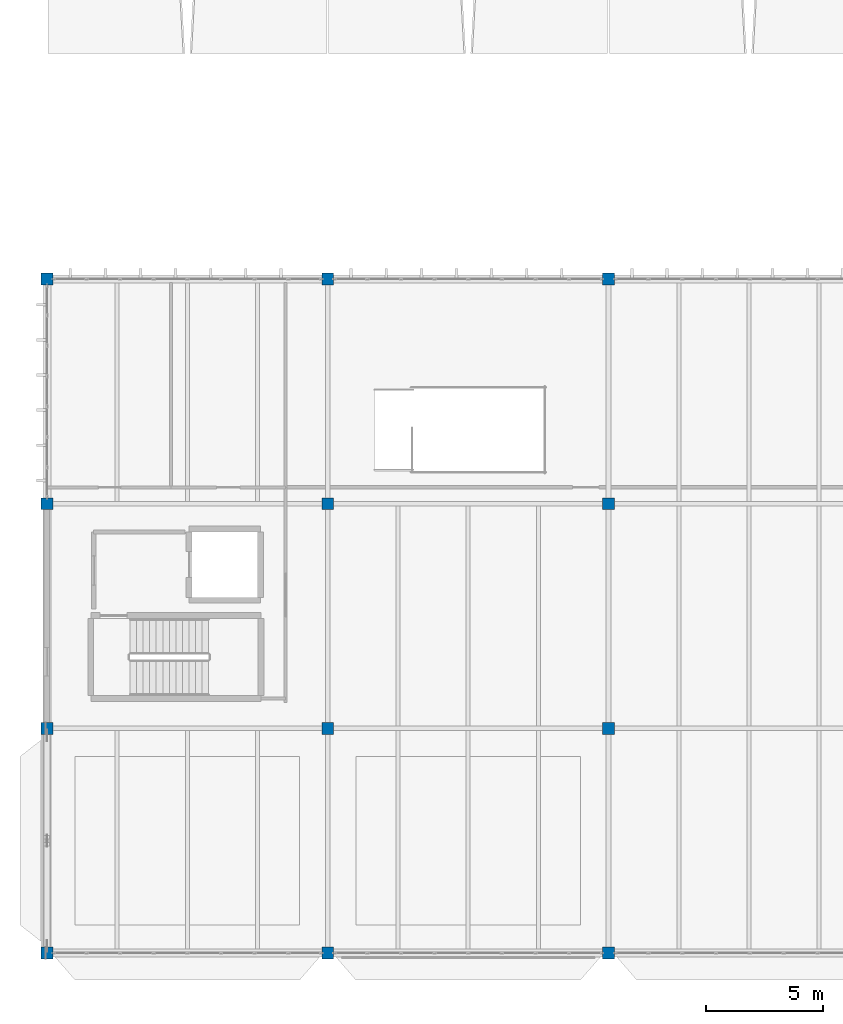
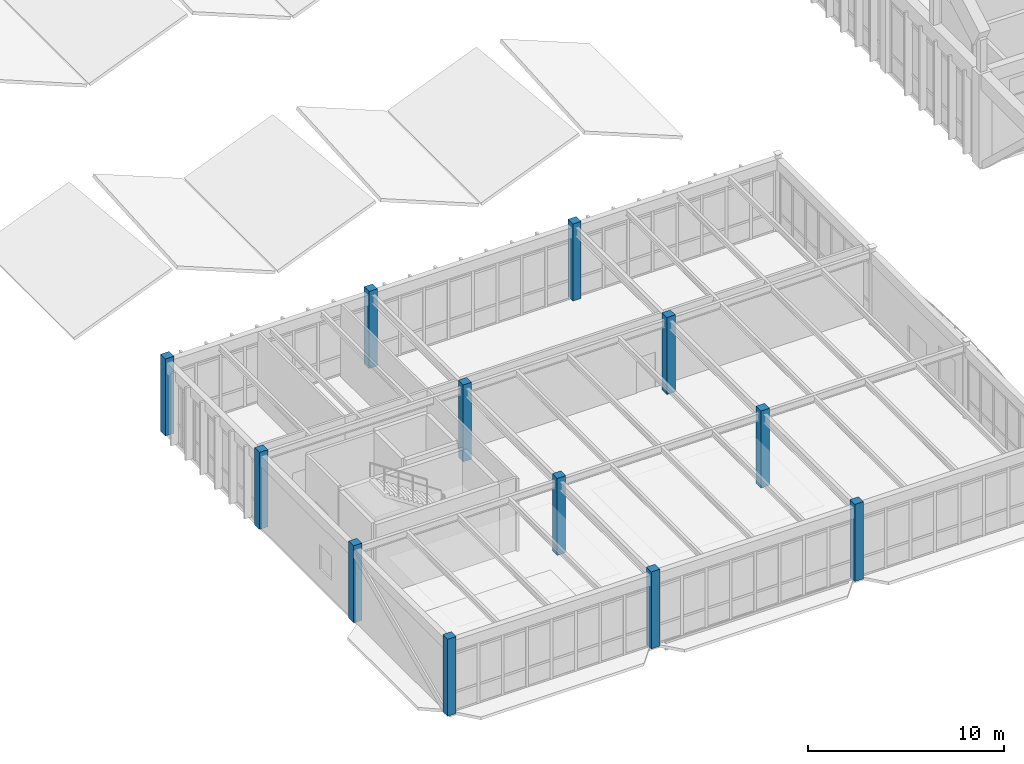
# One storey, part 1 of 236: 12 columns.
"""IFC4 building model written with IfcOpenShell, lengths in metres."""

from ifc_helpers import new_model, si_unit, direction, frame, origin, origin_2d, place, context, subcontext, project, spatial, rectangle, extrude, material, material_profile, profile_set, type_object, element, save


model = new_model("IFC4")

# Units and contexts
model_context = context("Model", 3, precision=1e-05, world=origin(), true_north=direction((0.0, 1.0)))
body_context = subcontext(model_context, "Body", "Model", "MODEL_VIEW")
ifc_project = project(units=[si_unit("LENGTHUNIT", "METRE"), si_unit("AREAUNIT", "SQUARE_METRE"), si_unit("VOLUMEUNIT", "CUBIC_METRE"), si_unit("PLANEANGLEUNIT", "RADIAN"), si_unit("MASSUNIT", "GRAM", prefix="KILO")], contexts=[model_context])

# Site, building, storey
site_placement = place(None, origin())
site = spatial("IfcSite", under=ifc_project, at=site_placement, CompositionType="ELEMENT")
building_placement = place(site_placement, origin())
building = spatial("IfcBuilding", under=site, at=building_placement, Name="Pandanus Reach Market Hall", CompositionType="ELEMENT")
storey_placement = place(building_placement, frame((0.0, 0.0, 5.39990234375)))
storey = spatial("IfcBuildingStorey", under=building, at=storey_placement, Name="L01", CompositionType="ELEMENT", Elevation=5.39990234375)

# Columns
ifc_material = material(Name="Concrete N40 (40 MPa)", Category="concrete")
ifc_material_profile_1 = material_profile(ifc_material, rectangle(XDim=0.5, YDim=0.5, at=origin_2d()), Name="RC500x500", Category="LoadBearing")
ifc_profile_set_1 = profile_set([ifc_material_profile_1], Name="Concrete N40 (40 MPa)")
column_type_1 = type_object("IfcColumnType", Name="CL-RC500-E", PredefinedType="COLUMN", material=ifc_profile_set_1)
for number, where, z_axis, x_axis, name in (
    (1, (0.0, 0.0, 0.0), (0.0, 0.0, 1.0), (1.0, 0.0, 0.0), "Column CL-RC500-E V3-0-0 L01"),
    (2, (12.0, 0.0, 0.0), (0.0, 0.0, 1.0), (1.0, 0.0, 0.0), "Column CL-RC500-E V3-12-0 L01"),
    (3, (24.0, 0.0, 0.0), (0.0, 0.0, 1.0), (1.0, 0.0, 0.0), "Column CL-RC500-E V3-24-0 L01"),
    (4, (0.0, 9.60009765625, 0.0), (0.0, 0.0, 1.0), (1.0, 0.0, 0.0), "Column CL-RC500-E V3-0-96 L01"),
    (5, (24.0, 9.60009765625, 0.0), (0.0, 0.0, 1.0), (1.0, 0.0, 0.0), "Column CL-RC500-E V3-24-96 L01"),
    (6, (0.0, 19.199951171875, 0.0), (0.0, 0.0, 1.0), (1.0, 0.0, 0.0), "Column CL-RC500-E V3-0-192 L01"),
    (7, (24.0, 19.199951171875, 0.0), (0.0, 0.0, 1.0), (1.0, 0.0, 0.0), "Column CL-RC500-E V3-24-192 L01"),
    (8, (0.0, 28.800048828125, 0.0), (0.0, 0.0, 1.0), (1.0, 0.0, 0.0), "Column CL-RC500-E V3-0-288 L01"),
    (9, (12.0, 28.800048828125, 0.0), (0.0, 0.0, 1.0), (1.0, 0.0, 0.0), "Column CL-RC500-E V3-12-288 L01"),
    (10, (24.0, 28.800048828125, 0.0), (0.0, 0.0, 1.0), (1.0, 0.0, 0.0), "Column CL-RC500-E V3-24-288 L01"),
):
    element("IfcColumn", number, at=place(storey_placement, frame(where, z_axis=z_axis, x_axis=x_axis)), inside=storey, type_object=column_type_1, Name=name, PredefinedType="COLUMN", context=body_context, shape_type="SweptSolid", body=[
        extrude(rectangle(XDim=0.5, YDim=0.5, at=origin_2d()), origin(), (0.0, 0.0, 1.0), 4.800048828125),
    ])
ifc_material_profile_2 = material_profile(ifc_material, rectangle(XDim=0.5, YDim=0.5, at=origin_2d()), Name="RC500x500", Category="LoadBearing")
ifc_profile_set_2 = profile_set([ifc_material_profile_2], Name="Concrete N40 (40 MPa)")
column_type_2 = type_object("IfcColumnType", Name="CL-RC500-I", PredefinedType="COLUMN", material=ifc_profile_set_2)
for number, where, z_axis, x_axis, name in (
    (11, (12.0, 9.60009765625, 0.0), (0.0, 0.0, 1.0), (1.0, 0.0, 0.0), "Column CL-RC500-I V3-12-96 L01"),
    (12, (12.0, 19.199951171875, 0.0), (0.0, 0.0, 1.0), (1.0, 0.0, 0.0), "Column CL-RC500-I V3-12-192 L01"),
):
    element("IfcColumn", number, at=place(storey_placement, frame(where, z_axis=z_axis, x_axis=x_axis)), inside=storey, type_object=column_type_2, Name=name, PredefinedType="COLUMN", context=body_context, shape_type="SweptSolid", body=[
        extrude(rectangle(XDim=0.5, YDim=0.5, at=origin_2d()), origin(), (0.0, 0.0, 1.0), 4.800048828125),
    ])

save(model, "model.ifc")
